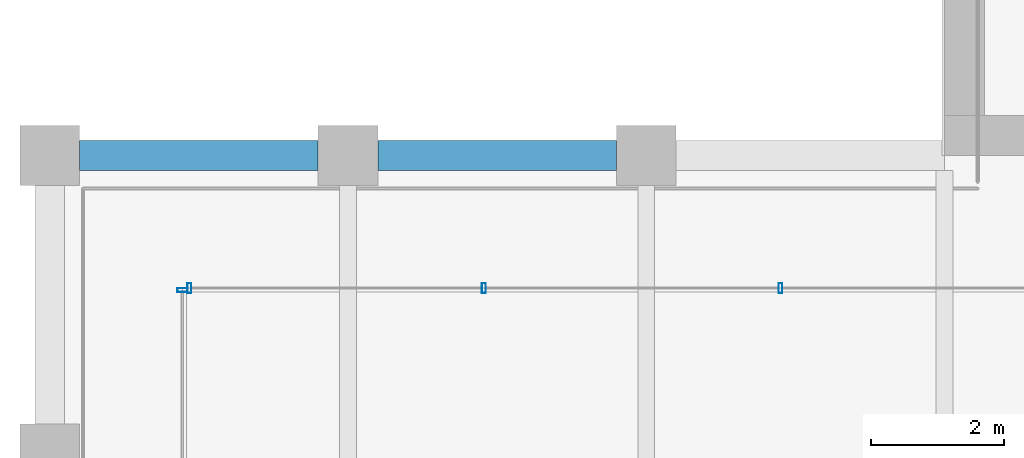
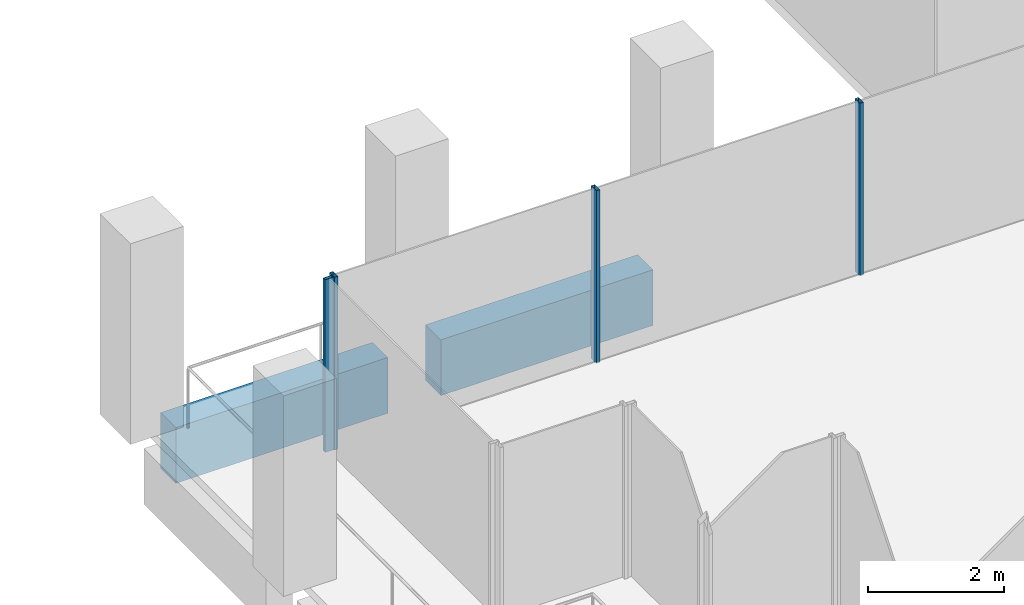
# One storey, part 5 of 40: 4 members, 2 beams, 2 elements without a shape of their own.
"""IFC4 building model written with IfcOpenShell, lengths in metres."""

from ifc_helpers import new_model, si_unit, direction, frame, origin, origin_2d, place, context, subcontext, project, spatial, rectangle, hollow_rectangle, extrude, material, material_profile, profile_set, type_object, element, aggregate, save


model = new_model("IFC4")

# Units and contexts
model_context = context("Model", 3, precision=1e-05, world=origin(), true_north=direction((0.0, 1.0)))
body_context = subcontext(model_context, "Body", "Model", "MODEL_VIEW")
ifc_project = project(units=[si_unit("LENGTHUNIT", "METRE"), si_unit("AREAUNIT", "SQUARE_METRE"), si_unit("VOLUMEUNIT", "CUBIC_METRE"), si_unit("PLANEANGLEUNIT", "RADIAN"), si_unit("MASSUNIT", "GRAM", prefix="KILO")], contexts=[model_context])

# Site, building, storey
site_placement = place(None, origin())
site = spatial("IfcSite", under=ifc_project, at=site_placement, CompositionType="ELEMENT")
building_placement = place(site_placement, origin())
building = spatial("IfcBuilding", under=site, at=building_placement, Name="Altepetl Exchange Towers", CompositionType="ELEMENT")
storey_placement = place(building_placement, frame((0.0, 0.0, 151.0)))
storey = spatial("IfcBuildingStorey", under=building, at=storey_placement, Name="L37", CompositionType="ELEMENT", Elevation=151.0)

# Curtain wall, members
ifc_material_1 = material(Name="Aluminium 6063-T6 glazing", Category="aluminium")
curtain_wall_type = type_object("IfcCurtainWallType", Name="Loggia glazing system", PredefinedType="NOTDEFINED", material=ifc_material_1)
curtain_wall_1_placement = place(storey_placement, origin())
curtain_wall_1 = element("IfcCurtainWall", 1, at=curtain_wall_1_placement, inside=storey, type_object=curtain_wall_type, Name="CW1 run", PredefinedType="NOTDEFINED")
ifc_material_2 = material(Name="Aluminium 6063-T6", Category="aluminium")
ifc_material_profile_1 = material_profile(ifc_material_2, hollow_rectangle(XDim=0.06005859375, YDim=0.14990234375, WallThickness=0.0029296875, at=origin_2d()), Name="Mullion 60x150 aluminium")
ifc_profile_set_1 = profile_set([ifc_material_profile_1], Name="Aluminium 6063-T6")
member_type = type_object("IfcMemberType", Name="Mullion 60x150 aluminium", PredefinedType="MULLION", material=ifc_profile_set_1)
member_1_placement = place(storey_placement, frame((38.02490234375, 38.5, 0.0), z_axis=(0.0, 0.0, 1.0), x_axis=(-1.0, 0.0, 0.0)))
member_1 = element("IfcMember", 2, at=member_1_placement, type_object=member_type, Name="MU1 mullion", PredefinedType="MULLION", context=body_context, shape_type="SweptSolid", body=[
    extrude(hollow_rectangle(XDim=0.06005859375, YDim=0.14990234375, WallThickness=0.0029296875, at=origin_2d()), origin(), (0.0, 0.0, 1.0), 3.10009765625),
])
member_2_placement = place(storey_placement, frame((33.550048828125, 38.5, 0.0), z_axis=(0.0, 0.0, 1.0), x_axis=(-1.0, 0.0, 0.0)))
member_2 = element("IfcMember", 3, at=member_2_placement, type_object=member_type, Name="MU1 mullion", PredefinedType="MULLION", context=body_context, shape_type="SweptSolid", body=[
    extrude(hollow_rectangle(XDim=0.06005859375, YDim=0.14990234375, WallThickness=0.0029296875, at=origin_2d()), origin(), (0.0, 0.0, 1.0), 3.10009765625),
])
member_3_placement = place(storey_placement, frame((29.10498046875, 38.5, 0.0), z_axis=(0.0, 0.0, 1.0), x_axis=(-1.0, 0.0, 0.0)))
member_3 = element("IfcMember", 4, at=member_3_placement, type_object=member_type, Name="MU1 mullion", PredefinedType="MULLION", context=body_context, shape_type="SweptSolid", body=[
    extrude(hollow_rectangle(XDim=0.06005859375, YDim=0.14990234375, WallThickness=0.0029296875, at=origin_2d()), origin(), (0.0, 0.0, 1.0), 3.10009765625),
])
aggregate(curtain_wall_1, [member_1, member_2, member_3])

# Curtain wall, member
curtain_wall_2_placement = place(storey_placement, origin())
curtain_wall_2 = element("IfcCurtainWall", 5, at=curtain_wall_2_placement, inside=storey, type_object=curtain_wall_type, Name="CW1 run", PredefinedType="NOTDEFINED")
member_4_placement = place(storey_placement, frame((29.0, 38.469970703125, 0.0), z_axis=(0.0, 0.0, 1.0), x_axis=(0.0, -1.0, 0.0)))
member_4 = element("IfcMember", 6, at=member_4_placement, type_object=member_type, Name="MU1 mullion", PredefinedType="MULLION", context=body_context, shape_type="SweptSolid", body=[
    extrude(hollow_rectangle(XDim=0.06005859375, YDim=0.14990234375, WallThickness=0.0029296875, at=origin_2d()), origin(), (0.0, 0.0, 1.0), 3.10009765625),
])
aggregate(curtain_wall_2, [member_4])

# Beams
ifc_material_3 = material(Name="Concrete C50/60 precast with tezontle facing", Category="concrete")
ifc_material_profile_2 = material_profile(ifc_material_3, rectangle(XDim=0.449951171875, YDim=1.0, at=origin_2d()), Name="450 x 1000")
ifc_profile_set_2 = profile_set([ifc_material_profile_2], Name="Concrete C50/60 precast with tezontle facing")
beam_type = type_object("IfcBeamType", Name="Spandrel beam 450x1000 tezontle", PredefinedType="SPANDREL", material=ifc_profile_set_2)
for number, where, z_axis, x_axis, name in (
    (7, (35.550048828125, 40.5, -0.64990234375), (-1.0, 0.0, 0.0), (0.0, -1.0, 0.0), "sp:A:L37:034"),
    (8, (31.050048828125, 40.5, -0.64990234375), (-1.0, 0.0, 0.0), (0.0, -1.0, 0.0), "sp:A:L37:035"),
):
    element("IfcBeam", number, at=place(storey_placement, frame(where, z_axis=z_axis, x_axis=x_axis)), inside=storey, type_object=beam_type, Name=name, PredefinedType="SPANDREL", context=body_context, shape_type="SweptSolid", body=[
        extrude(rectangle(XDim=0.449951171875, YDim=1.0, at=origin_2d()), origin(), (0.0, 0.0, 1.0), 3.60009765625),
    ])

save(model, "model.ifc")
